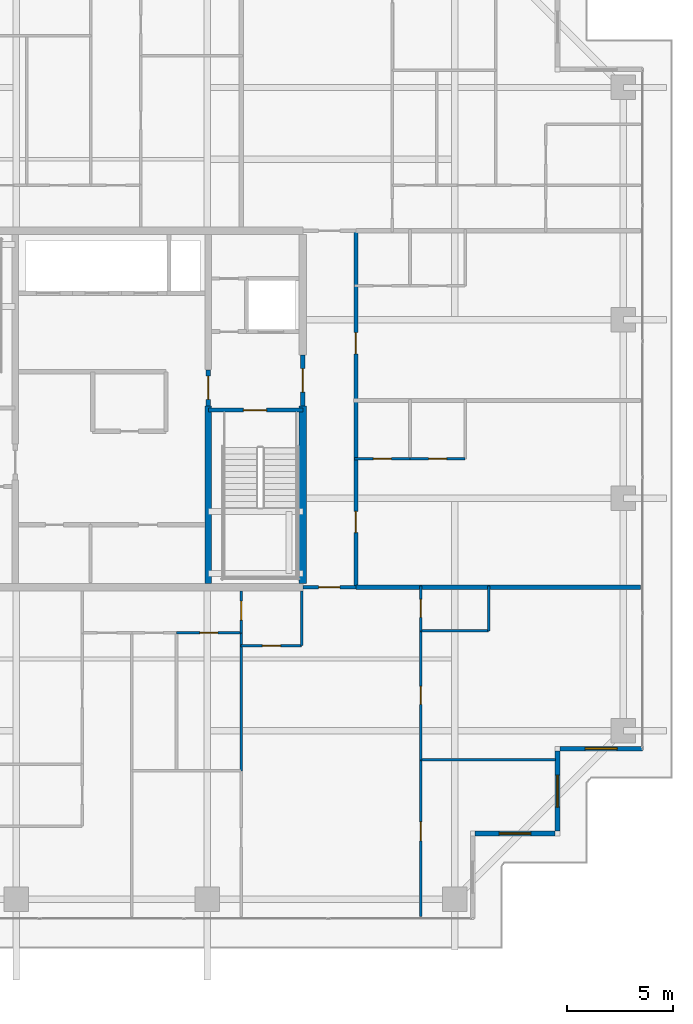
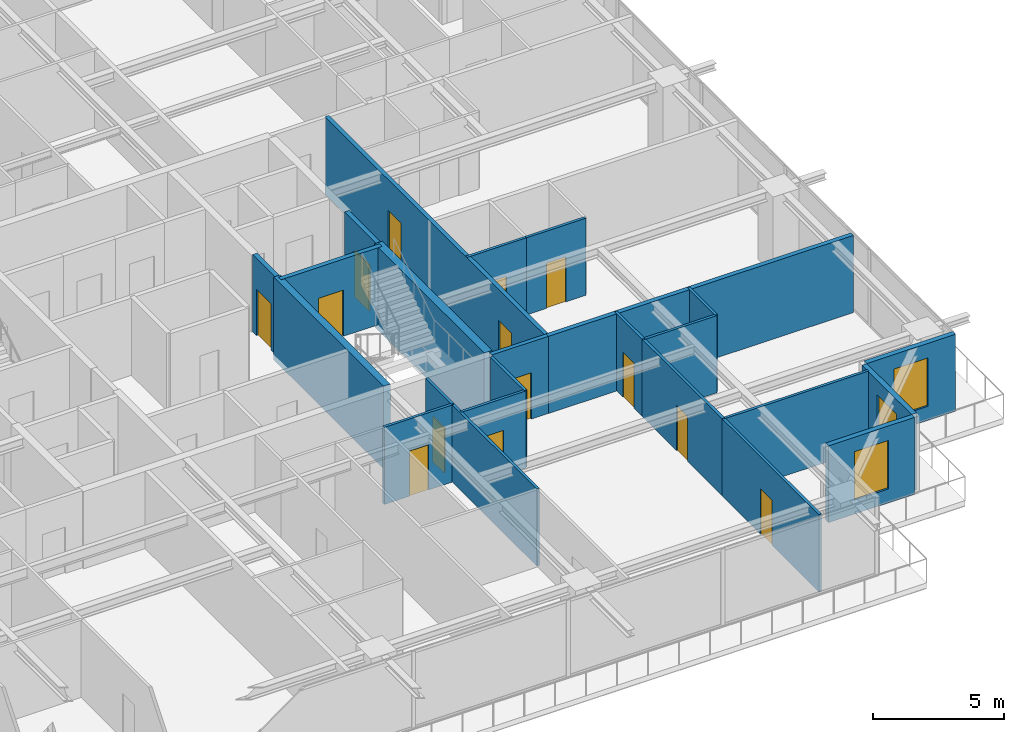
# One storey, part 29 of 39: 24 walls, 14 doors, 3 windows, 17 openings.
"""IFC4 building model written with IfcOpenShell, lengths in metres."""

from ifc_helpers import new_model, si_unit, direction, frame, frame_2d, origin, place, context, subcontext, project, spatial, rectangle, extrude, source, transform, mapped, material, layer, layer_set, type_object, element, fill, save


model = new_model("IFC4")

# Units and contexts
model_context = context("Model", 3, precision=1e-05, world=origin(), true_north=direction((0.0, 1.0)))
body_context = subcontext(model_context, "Body", "Model", "MODEL_VIEW")
ifc_project = project(units=[si_unit("LENGTHUNIT", "METRE"), si_unit("AREAUNIT", "SQUARE_METRE"), si_unit("VOLUMEUNIT", "CUBIC_METRE"), si_unit("PLANEANGLEUNIT", "RADIAN"), si_unit("MASSUNIT", "GRAM", prefix="KILO")], contexts=[model_context])

# Site, building, storey
site_placement = place(None, origin())
site = spatial("IfcSite", under=ifc_project, at=site_placement, CompositionType="ELEMENT")
building_placement = place(site_placement, origin())
building = spatial("IfcBuilding", under=site, at=building_placement, Name="Serunith Strait Residences", CompositionType="ELEMENT")
storey_placement = place(building_placement, frame((0.0, 0.0, 222.0)))
storey = spatial("IfcBuildingStorey", under=building, at=storey_placement, Name="L55", CompositionType="ELEMENT", Elevation=222.0)

# Wall, opening, window
ifc_material_1 = material(Name="Pale-Champagne Aluminium Insulated Panel", Category="aluminium")
ifc_layer_1 = layer(ifc_material_1, 0.219970703125, Name="Pale-Champagne Aluminium Insulated Panel")
ifc_layer_set_1 = layer_set([ifc_layer_1], Name="Pale-Champagne Aluminium Insulated Panel")
wall_type_1 = type_object("IfcWallType", Name="EW-ALUM-220", PredefinedType="ELEMENTEDWALL", material=ifc_layer_set_1)
wall_1_placement = place(storey_placement, frame((49.510009765625, 5.199951171875, 0.0), z_axis=(0.0, 0.0, 1.0), x_axis=(1.0, 0.0, 0.0)))
wall_1 = element("IfcWall", 1, at=wall_1_placement, inside=storey, type_object=wall_type_1, Name="L55 Girih Serrated Corner Wall 03", PredefinedType="ELEMENTEDWALL", context=body_context, shape_type="SweptSolid", body=[
    extrude(rectangle(XDim=3.780029296875, YDim=0.219970703125, at=frame_2d((1.89013671875, 0.0))), origin(), (0.0, 0.0, 1.0), 3.574951171875),
])
opening_1_placement = place(wall_1_placement, frame((1.139892578125, 0.0, 0.64990234375)))
opening_1 = element("IfcOpeningElement", 2, at=opening_1_placement, cuts=wall_1, Name="Opening W-05", PredefinedType="OPENING", context=body_context, shape_type="SweptSolid", body=[
    extrude(rectangle(XDim=1.5, YDim=2.25, at=frame_2d((0.75, 1.125))), frame((0.0, 0.1201171875, 0.0), z_axis=(0.0, -1.0, 0.0), x_axis=(1.0, 0.0, 0.0)), (0.0, 0.0, 1.0), 0.239990234375),
])
ifc_material_2 = material(Name="Ceramic-Fritted Operable Aluminium Window Glass", Category="aluminium")
window_type = type_object("IfcWindowType", Name="WIN-C5", PartitioningType="DOUBLE_PANEL_VERTICAL", PredefinedType="WINDOW", material=ifc_material_2)
shared_shape_1 = source(origin(), body_context, "Body", "SweptSolid", [
    extrude(rectangle(XDim=1.5, YDim=2.25, at=frame_2d((0.75, 1.125))), frame((0.0, 0.030029296875, 0.0), z_axis=(0.0, -1.0, 0.0), x_axis=(1.0, 0.0, 0.0)), (0.0, 0.0, 1.0), 0.06005859375),
])
window_1_placement = place(opening_1_placement, origin())
window_1 = element("IfcWindow", 3, at=window_1_placement, inside=storey, type_object=window_type, Name="L55 Corner Operable Fritted Window 03", OverallHeight=2.25, OverallWidth=1.5, PartitioningType="SINGLE_PANEL", PredefinedType="WINDOW", context=body_context, shape_type="MappedRepresentation", body=[
    mapped(shared_shape_1, transform((0.0, 0.0, 0.0), scale=1.0)),
])
fill(opening_1, window_1)

wall_2_placement = place(storey_placement, frame((53.39990234375, 5.31005859375, 0.0), z_axis=(0.0, 0.0, 1.0), x_axis=(0.0, 1.0, 0.0)))
wall_2 = element("IfcWall", 4, at=wall_2_placement, inside=storey, type_object=wall_type_1, Name="L55 Girih Serrated Corner Wall 04", PredefinedType="ELEMENTEDWALL", context=body_context, shape_type="SweptSolid", body=[
    extrude(rectangle(XDim=3.780029296875, YDim=0.219970703125, at=frame_2d((1.89013671875, 0.0))), origin(), (0.0, 0.0, 1.0), 3.574951171875),
])
opening_2_placement = place(wall_2_placement, frame((1.139892578125, 0.0, 0.64990234375)))
opening_2 = element("IfcOpeningElement", 5, at=opening_2_placement, cuts=wall_2, Name="Opening W-05", PredefinedType="OPENING", context=body_context, shape_type="SweptSolid", body=[
    extrude(rectangle(XDim=1.5, YDim=2.25, at=frame_2d((0.75, 1.125))), frame((0.0, 0.1201171875, 0.0), z_axis=(0.0, -1.0, 0.0), x_axis=(1.0, 0.0, 0.0)), (0.0, 0.0, 1.0), 0.239990234375),
])
window_2_placement = place(opening_2_placement, origin())
window_2 = element("IfcWindow", 6, at=window_2_placement, inside=storey, type_object=window_type, Name="L55 Corner Operable Fritted Window 04", OverallHeight=2.25, OverallWidth=1.5, PartitioningType="SINGLE_PANEL", PredefinedType="WINDOW", context=body_context, shape_type="MappedRepresentation", body=[
    mapped(shared_shape_1, transform((0.0, 0.0, 0.0), scale=1.0)),
])
fill(opening_2, window_2)

wall_3_placement = place(storey_placement, frame((53.510009765625, 9.199951171875, 0.0), z_axis=(0.0, 0.0, 1.0), x_axis=(1.0, 0.0, 0.0)))
wall_3 = element("IfcWall", 7, at=wall_3_placement, inside=storey, type_object=wall_type_1, Name="L55 Girih Serrated Corner Wall 05", PredefinedType="ELEMENTEDWALL", context=body_context, shape_type="SweptSolid", body=[
    extrude(rectangle(XDim=3.889892578125, YDim=0.219970703125, at=frame_2d((1.94482421875, 0.0))), origin(), (0.0, 0.0, 1.0), 3.574951171875),
])
opening_3_placement = place(wall_3_placement, frame((1.195068359375, 0.0, 0.64990234375)))
opening_3 = element("IfcOpeningElement", 8, at=opening_3_placement, cuts=wall_3, Name="Opening W-05", PredefinedType="OPENING", context=body_context, shape_type="SweptSolid", body=[
    extrude(rectangle(XDim=1.5, YDim=2.25, at=frame_2d((0.75, 1.125))), frame((0.0, 0.1201171875, 0.0), z_axis=(0.0, -1.0, 0.0), x_axis=(1.0, 0.0, 0.0)), (0.0, 0.0, 1.0), 0.239990234375),
])
window_3_placement = place(opening_3_placement, origin())
window_3 = element("IfcWindow", 9, at=window_3_placement, inside=storey, type_object=window_type, Name="L55 Corner Operable Fritted Window 05", OverallHeight=2.25, OverallWidth=1.5, PartitioningType="SINGLE_PANEL", PredefinedType="WINDOW", context=body_context, shape_type="MappedRepresentation", body=[
    mapped(shared_shape_1, transform((0.0, 0.0, 0.0), scale=1.0)),
])
fill(opening_3, window_3)

# Wall, opening, door
ifc_material_3 = material(Name="Fire-rated acoustic gypsum partition")
ifc_layer_2 = layer(ifc_material_3, 0.179931640625, Name="Fire-rated acoustic gypsum partition")
ifc_layer_set_2 = layer_set([ifc_layer_2], Name="Fire-rated acoustic gypsum partition")
wall_type_2 = type_object("IfcWallType", Name="IW-CORR-180", PredefinedType="PARTITIONING", material=ifc_layer_set_2)
wall_4_placement = place(storey_placement, frame((41.402099609375, 16.800048828125, 0.0), z_axis=(0.0, 0.0, 1.0), x_axis=(1.0, 0.0, 0.0)))
wall_4 = element("IfcWall", 10, at=wall_4_placement, inside=storey, type_object=wall_type_2, Name="L55 Partition Wall 030", PredefinedType="PARTITIONING", context=body_context, shape_type="SweptSolid", body=[
    extrude(rectangle(XDim=2.495849609375, YDim=0.179931640625, at=frame_2d((1.248046875, 0.0))), origin(), (0.0, 0.0, 1.0), 3.590087890625),
])
opening_4_placement = place(wall_4_placement, frame((0.748046875, 0.0, 0.0)))
opening_4 = element("IfcOpeningElement", 11, at=opening_4_placement, cuts=wall_4, Name="Opening D-APT1000", PredefinedType="OPENING", context=body_context, shape_type="SweptSolid", body=[
    extrude(rectangle(XDim=1.0, YDim=2.14990234375, at=frame_2d((0.5, 1.074951171875))), frame((0.0, 0.10009765625, 0.0), z_axis=(0.0, -1.0, 0.0), x_axis=(1.0, 0.0, 0.0)), (0.0, 0.0, 1.0), 0.199951171875),
])
ifc_material_4 = material(Name="Solid timber engineered fire door", Category="wood")
door_type_1 = type_object("IfcDoorType", Name="ID-APT-1000", OperationType="NOTDEFINED", PredefinedType="DOOR", material=ifc_material_4)
shared_shape_2 = source(origin(), body_context, "Body", "SweptSolid", [
    extrude(rectangle(XDim=1.0, YDim=2.14990234375, at=frame_2d((0.5, 1.074951171875))), frame((0.0, 0.02490234375, 0.0), z_axis=(0.0, -1.0, 0.0), x_axis=(1.0, 0.0, 0.0)), (0.0, 0.0, 1.0), 0.050048828125),
])
door_1_placement = place(opening_4_placement, origin())
door_1 = element("IfcDoor", 12, at=door_1_placement, inside=storey, type_object=door_type_1, Name="L55 Unit 02 Entrance Door", OperationType="SINGLE_SWING_LEFT", OverallHeight=2.14990234375, OverallWidth=1.0, PredefinedType="DOOR", context=body_context, shape_type="MappedRepresentation", body=[
    mapped(shared_shape_2, transform((0.0, 0.0, 0.0), scale=1.0)),
])
fill(opening_4, door_1)

# Wall, openings, doors
wall_5_placement = place(storey_placement, frame((43.89990234375, 16.800048828125, 0.0), z_axis=(0.0, 0.0, 1.0), x_axis=(0.0, 1.0, 0.0)))
wall_5 = element("IfcWall", 13, at=wall_5_placement, inside=storey, type_object=wall_type_2, Name="L55 Partition Wall 032", PredefinedType="PARTITIONING", context=body_context, shape_type="SweptSolid", body=[
    extrude(rectangle(XDim=16.800048828125, YDim=0.179931640625, at=frame_2d((8.39990234375, 0.0))), origin(), (0.0, 0.0, 1.0), 3.590087890625),
])
opening_5_placement = place(wall_5_placement, frame((2.574951171875, 0.0, 0.0)))
opening_5 = element("IfcOpeningElement", 14, at=opening_5_placement, cuts=wall_5, Name="Opening D-APT1000", PredefinedType="OPENING", context=body_context, shape_type="SweptSolid", body=[
    extrude(rectangle(XDim=1.0, YDim=2.14990234375, at=frame_2d((0.5, 1.074951171875))), frame((0.0, 0.10009765625, 0.0), z_axis=(0.0, -1.0, 0.0), x_axis=(1.0, 0.0, 0.0)), (0.0, 0.0, 1.0), 0.199951171875),
])
opening_6_placement = place(wall_5_placement, frame((10.9970703125, 0.0, 0.0)))
opening_6 = element("IfcOpeningElement", 15, at=opening_6_placement, cuts=wall_5, Name="Opening D-APT1000", PredefinedType="OPENING", context=body_context, shape_type="SweptSolid", body=[
    extrude(rectangle(XDim=1.0, YDim=2.14990234375, at=frame_2d((0.5, 1.074951171875))), frame((0.0, 0.10009765625, 0.0), z_axis=(0.0, -1.0, 0.0), x_axis=(1.0, 0.0, 0.0)), (0.0, 0.0, 1.0), 0.199951171875),
])
door_2_placement = place(opening_5_placement, origin())
door_2 = element("IfcDoor", 16, at=door_2_placement, inside=storey, type_object=door_type_1, Name="L55 Unit 07 Entrance Door", OperationType="SINGLE_SWING_LEFT", OverallHeight=2.14990234375, OverallWidth=1.0, PredefinedType="DOOR", context=body_context, shape_type="MappedRepresentation", body=[
    mapped(shared_shape_2, transform((0.0, 0.0, 0.0), scale=1.0)),
])
fill(opening_5, door_2)
door_3_placement = place(opening_6_placement, origin())
door_3 = element("IfcDoor", 17, at=door_3_placement, inside=storey, type_object=door_type_1, Name="L55 Unit 08 Entrance Door", OperationType="SINGLE_SWING_RIGHT", OverallHeight=2.14990234375, OverallWidth=1.0, PredefinedType="DOOR", context=body_context, shape_type="MappedRepresentation", body=[
    mapped(shared_shape_2, transform((0.0, 0.0, 0.0), scale=1.0)),
])
fill(opening_6, door_3)

# Wall, opening, door
ifc_material_5 = material(Name="Lightweight steel-stud gypsum partition", Category="steel")
ifc_layer_3 = layer(ifc_material_5, 0.1201171875, Name="Lightweight steel-stud gypsum partition")
ifc_layer_set_3 = layer_set([ifc_layer_3], Name="Lightweight steel-stud gypsum partition")
wall_type_3 = type_object("IfcWallType", Name="IW-PART-120", PredefinedType="PARTITIONING", material=ifc_layer_set_3)
wall_6_placement = place(storey_placement, frame((38.5, 14.050048828125, 0.0), z_axis=(0.0, 0.0, 1.0), x_axis=(1.0, 0.0, 0.0)))
wall_6 = element("IfcWall", 18, at=wall_6_placement, inside=storey, type_object=wall_type_3, Name="L55 Partition Wall 046", PredefinedType="PARTITIONING", context=body_context, shape_type="SweptSolid", body=[
    extrude(rectangle(XDim=2.85009765625, YDim=0.1201171875, at=frame_2d((1.425048828125, 0.0))), origin(), (0.0, 0.0, 1.0), 3.590087890625),
])
opening_7_placement = place(wall_6_placement, frame((1.0, 0.0, 0.0)))
opening_7 = element("IfcOpeningElement", 19, at=opening_7_placement, cuts=wall_6, Name="Opening D-RM850", PredefinedType="OPENING", context=body_context, shape_type="SweptSolid", body=[
    extrude(rectangle(XDim=0.85009765625, YDim=2.10009765625, at=frame_2d((0.425048828125, 1.050048828125))), frame((0.0, 0.070068359375, 0.0), z_axis=(0.0, -1.0, 0.0), x_axis=(1.0, 0.0, 0.0)), (0.0, 0.0, 1.0), 0.14013671875),
])
ifc_material_6 = material(Name="Engineered timber flush study and kitchen door", Category="wood")
door_type_2 = type_object("IfcDoorType", Name="ID-ROOM-850", OperationType="NOTDEFINED", PredefinedType="DOOR", material=ifc_material_6)
shared_shape_3 = source(origin(), body_context, "Body", "SweptSolid", [
    extrude(rectangle(XDim=0.85009765625, YDim=2.10009765625, at=frame_2d((0.425048828125, 1.050048828125))), frame((0.0, 0.02490234375, 0.0), z_axis=(0.0, -1.0, 0.0), x_axis=(1.0, 0.0, 0.0)), (0.0, 0.0, 1.0), 0.050048828125),
])
door_4_placement = place(opening_7_placement, origin())
door_4 = element("IfcDoor", 20, at=door_4_placement, inside=storey, type_object=door_type_2, Name="L55 Kitchen 5502 Door", OperationType="SINGLE_SWING_RIGHT", OverallHeight=2.10009765625, OverallWidth=0.85009765625, PredefinedType="DOOR", context=body_context, shape_type="MappedRepresentation", body=[
    mapped(shared_shape_3, transform((0.0, 0.0, 0.0), scale=1.0)),
])
fill(opening_7, door_4)

# Wall
wall_7_placement = place(storey_placement, frame((41.35009765625, 14.050048828125, 0.0), z_axis=(0.0, 0.0, 1.0), x_axis=(0.0, 1.0, 0.0)))
element("IfcWall", 21, at=wall_7_placement, inside=storey, type_object=wall_type_3, Name="L55 Partition Wall 047", PredefinedType="PARTITIONING", context=body_context, shape_type="SweptSolid", body=[
    extrude(rectangle(XDim=2.574951171875, YDim=0.1201171875, at=frame_2d((1.28759765625, 0.0))), origin(), (0.0, 0.0, 1.0), 3.590087890625),
])

# Wall, opening, door
wall_8_placement = place(storey_placement, frame((38.5, 14.64990234375, 0.0), z_axis=(0.0, 0.0, 1.0), x_axis=(0.0, 1.0, 0.0)))
wall_8 = element("IfcWall", 22, at=wall_8_placement, inside=storey, type_object=wall_type_3, Name="L55 Partition Wall 048", PredefinedType="PARTITIONING", context=body_context, shape_type="SweptSolid", body=[
    extrude(rectangle(XDim=1.97509765625, YDim=0.1201171875, at=frame_2d((0.987548828125, 0.0))), origin(), (0.0, 0.0, 1.0), 3.590087890625),
])
opening_8_placement = place(wall_8_placement, frame((0.60107421875, 0.0, 0.0)))
opening_8 = element("IfcOpeningElement", 23, at=opening_8_placement, cuts=wall_8, Name="Opening D-RM900", PredefinedType="OPENING", context=body_context, shape_type="SweptSolid", body=[
    extrude(rectangle(XDim=0.89990234375, YDim=2.10009765625, at=frame_2d((0.449951171875, 1.050048828125))), frame((0.0, 0.070068359375, 0.0), z_axis=(0.0, -1.0, 0.0), x_axis=(1.0, 0.0, 0.0)), (0.0, 0.0, 1.0), 0.14013671875),
])
ifc_material_7 = material(Name="Engineered timber flush bedroom door", Category="wood")
door_type_3 = type_object("IfcDoorType", Name="ID-ROOM-900", OperationType="NOTDEFINED", PredefinedType="DOOR", material=ifc_material_7)
shared_shape_4 = source(origin(), body_context, "Body", "SweptSolid", [
    extrude(rectangle(XDim=0.89990234375, YDim=2.10009765625, at=frame_2d((0.449951171875, 1.050048828125))), frame((0.0, 0.02490234375, 0.0), z_axis=(0.0, -1.0, 0.0), x_axis=(1.0, 0.0, 0.0)), (0.0, 0.0, 1.0), 0.050048828125),
])
door_5_placement = place(opening_8_placement, origin())
door_5 = element("IfcDoor", 24, at=door_5_placement, inside=storey, type_object=door_type_3, Name="L55 Hall W 5502 Door", OperationType="SINGLE_SWING_LEFT", OverallHeight=2.10009765625, OverallWidth=0.89990234375, PredefinedType="DOOR", context=body_context, shape_type="MappedRepresentation", body=[
    mapped(shared_shape_4, transform((0.0, 0.0, 0.0), scale=1.0)),
])
fill(opening_8, door_5)

# Wall
wall_9_placement = place(storey_placement, frame((38.5, 8.152099609375, 0.0), z_axis=(0.0, 0.0, 1.0), x_axis=(0.0, 1.0, 0.0)))
element("IfcWall", 25, at=wall_9_placement, inside=storey, type_object=wall_type_3, Name="L55 Partition Wall 050", PredefinedType="PARTITIONING", context=body_context, shape_type="SweptSolid", body=[
    extrude(rectangle(XDim=6.495849609375, YDim=0.1201171875, at=frame_2d((3.248046875, 0.0))), origin(), (0.0, 0.0, 1.0), 3.590087890625),
])

# Wall, opening, door
wall_10_placement = place(storey_placement, frame((35.451904296875, 14.64990234375, 0.0), z_axis=(0.0, 0.0, 1.0), x_axis=(1.0, 0.0, 0.0)))
wall_10 = element("IfcWall", 26, at=wall_10_placement, inside=storey, type_object=wall_type_3, Name="L55 Partition Wall 055", PredefinedType="PARTITIONING", context=body_context, shape_type="SweptSolid", body=[
    extrude(rectangle(XDim=3.048095703125, YDim=0.1201171875, at=frame_2d((1.52392578125, 0.0))), origin(), (0.0, 0.0, 1.0), 3.590087890625),
])
opening_9_placement = place(wall_10_placement, frame((1.09912109375, 0.0, 0.0)))
opening_9 = element("IfcOpeningElement", 27, at=opening_9_placement, cuts=wall_10, Name="Opening D-RM850", PredefinedType="OPENING", context=body_context, shape_type="SweptSolid", body=[
    extrude(rectangle(XDim=0.85009765625, YDim=2.10009765625, at=frame_2d((0.425048828125, 1.050048828125))), frame((0.0, 0.070068359375, 0.0), z_axis=(0.0, -1.0, 0.0), x_axis=(1.0, 0.0, 0.0)), (0.0, 0.0, 1.0), 0.14013671875),
])
door_6_placement = place(opening_9_placement, origin())
door_6 = element("IfcDoor", 28, at=door_6_placement, inside=storey, type_object=door_type_2, Name="L55 Formal Dining Room 5502 Door", OperationType="SINGLE_SWING_RIGHT", OverallHeight=2.10009765625, OverallWidth=0.85009765625, PredefinedType="DOOR", context=body_context, shape_type="MappedRepresentation", body=[
    mapped(shared_shape_3, transform((0.0, 0.0, 0.0), scale=1.0)),
])
fill(opening_9, door_6)

wall_11_placement = place(storey_placement, frame((46.949951171875, 1.294921875, 0.0), z_axis=(0.0, 0.0, 1.0), x_axis=(0.0, 1.0, 0.0)))
wall_11 = element("IfcWall", 29, at=wall_11_placement, inside=storey, type_object=wall_type_3, Name="L55 Partition Wall 062", PredefinedType="PARTITIONING", context=body_context, shape_type="SweptSolid", body=[
    extrude(rectangle(XDim=7.373046875, YDim=0.1201171875, at=frame_2d((3.6865234375, 0.0))), origin(), (0.0, 0.0, 1.0), 3.590087890625),
])
opening_10_placement = place(wall_11_placement, frame((3.56005859375, 0.0, 0.0)))
opening_10 = element("IfcOpeningElement", 30, at=opening_10_placement, cuts=wall_11, Name="Opening D-RM900", PredefinedType="OPENING", context=body_context, shape_type="SweptSolid", body=[
    extrude(rectangle(XDim=0.89990234375, YDim=2.10009765625, at=frame_2d((0.449951171875, 1.050048828125))), frame((0.0, 0.070068359375, 0.0), z_axis=(0.0, -1.0, 0.0), x_axis=(1.0, 0.0, 0.0)), (0.0, 0.0, 1.0), 0.14013671875),
])
door_7_placement = place(opening_10_placement, origin())
door_7 = element("IfcDoor", 31, at=door_7_placement, inside=storey, type_object=door_type_3, Name="L55 Bedroom 3 5502 Door", OperationType="SINGLE_SWING_RIGHT", OverallHeight=2.10009765625, OverallWidth=0.89990234375, PredefinedType="DOOR", context=body_context, shape_type="MappedRepresentation", body=[
    mapped(shared_shape_4, transform((0.0, 0.0, 0.0), scale=1.0)),
])
fill(opening_10, door_7)

# Walls
wall_12_placement = place(storey_placement, frame((46.949951171875, 8.66796875, 0.0), z_axis=(0.0, 0.0, 1.0), x_axis=(1.0, 0.0, 0.0)))
element("IfcWall", 32, at=wall_12_placement, inside=storey, type_object=wall_type_3, Name="L55 Partition Wall 063", PredefinedType="PARTITIONING", context=body_context, shape_type="SweptSolid", body=[
    extrude(rectangle(XDim=6.35498046875, YDim=0.1201171875, at=frame_2d((3.177490234375, 0.0))), origin(), (0.0, 0.0, 1.0), 3.590087890625),
])
wall_13_placement = place(storey_placement, frame((46.949951171875, 14.75, 0.0), z_axis=(0.0, 0.0, 1.0), x_axis=(1.0, 0.0, 0.0)))
element("IfcWall", 33, at=wall_13_placement, inside=storey, type_object=wall_type_3, Name="L55 Partition Wall 064", PredefinedType="PARTITIONING", context=body_context, shape_type="SweptSolid", body=[
    extrude(rectangle(XDim=3.199951171875, YDim=0.1201171875, at=frame_2d((1.60009765625, 0.0))), origin(), (0.0, 0.0, 1.0), 3.590087890625),
])
wall_14_placement = place(storey_placement, frame((50.14990234375, 14.75, 0.0), z_axis=(0.0, 0.0, 1.0), x_axis=(0.0, 1.0, 0.0)))
element("IfcWall", 34, at=wall_14_placement, inside=storey, type_object=wall_type_3, Name="L55 Partition Wall 065", PredefinedType="PARTITIONING", context=body_context, shape_type="SweptSolid", body=[
    extrude(rectangle(XDim=2.110107421875, YDim=0.1201171875, at=frame_2d((1.05517578125, 0.0))), origin(), (0.0, 0.0, 1.0), 3.590087890625),
])

# Wall, opening, door
wall_15_placement = place(storey_placement, frame((46.949951171875, 8.669921875, 0.0), z_axis=(0.0, 0.0, 1.0), x_axis=(0.0, 1.0, 0.0)))
wall_15 = element("IfcWall", 35, at=wall_15_placement, inside=storey, type_object=wall_type_3, Name="L55 Partition Wall 066", PredefinedType="PARTITIONING", context=body_context, shape_type="SweptSolid", body=[
    extrude(rectangle(XDim=6.080078125, YDim=0.1201171875, at=frame_2d((3.0400390625, 0.0))), origin(), (0.0, 0.0, 1.0), 3.590087890625),
])
opening_11_placement = place(wall_15_placement, frame((2.614990234375, 0.0, 0.0)))
opening_11 = element("IfcOpeningElement", 36, at=opening_11_placement, cuts=wall_15, Name="Opening D-RM850", PredefinedType="OPENING", context=body_context, shape_type="SweptSolid", body=[
    extrude(rectangle(XDim=0.85009765625, YDim=2.10009765625, at=frame_2d((0.425048828125, 1.050048828125))), frame((0.0, 0.070068359375, 0.0), z_axis=(0.0, -1.0, 0.0), x_axis=(1.0, 0.0, 0.0)), (0.0, 0.0, 1.0), 0.14013671875),
])
door_8_placement = place(opening_11_placement, origin())
door_8 = element("IfcDoor", 37, at=door_8_placement, inside=storey, type_object=door_type_2, Name="L55 Walk-in Wardrobe 5502 Door", OperationType="SINGLE_SWING_LEFT", OverallHeight=2.10009765625, OverallWidth=0.85009765625, PredefinedType="DOOR", context=body_context, shape_type="MappedRepresentation", body=[
    mapped(shared_shape_3, transform((0.0, 0.0, 0.0), scale=1.0)),
])
fill(opening_11, door_8)

wall_16_placement = place(storey_placement, frame((46.949951171875, 14.751953125, 0.0), z_axis=(0.0, 0.0, 1.0), x_axis=(0.0, 1.0, 0.0)))
wall_16 = element("IfcWall", 38, at=wall_16_placement, inside=storey, type_object=wall_type_3, Name="L55 Partition Wall 067", PredefinedType="PARTITIONING", context=body_context, shape_type="SweptSolid", body=[
    extrude(rectangle(XDim=2.108154296875, YDim=0.1201171875, at=frame_2d((1.05419921875, 0.0))), origin(), (0.0, 0.0, 1.0), 3.590087890625),
])
opening_12_placement = place(wall_16_placement, frame((0.62890625, 0.0, 0.0)))
opening_12 = element("IfcOpeningElement", 39, at=opening_12_placement, cuts=wall_16, Name="Opening D-BTH850", PredefinedType="OPENING", context=body_context, shape_type="SweptSolid", body=[
    extrude(rectangle(XDim=0.85009765625, YDim=2.10009765625, at=frame_2d((0.425048828125, 1.050048828125))), frame((0.0, 0.070068359375, 0.0), z_axis=(0.0, -1.0, 0.0), x_axis=(1.0, 0.0, 0.0)), (0.0, 0.0, 1.0), 0.14013671875),
])
ifc_material_8 = material(Name="Moisture-resistant timber bathroom door", Category="wood")
door_type_4 = type_object("IfcDoorType", Name="ID-BATH-850", OperationType="NOTDEFINED", PredefinedType="DOOR", material=ifc_material_8)
door_9_placement = place(opening_12_placement, origin())
door_9 = element("IfcDoor", 40, at=door_9_placement, inside=storey, type_object=door_type_4, Name="L55 Bathroom 5502 Door", OperationType="SINGLE_SWING_RIGHT", OverallHeight=2.10009765625, OverallWidth=0.85009765625, PredefinedType="DOOR", context=body_context, shape_type="MappedRepresentation", body=[
    mapped(shared_shape_3, transform((0.0, 0.0, 0.0), scale=1.0)),
])
fill(opening_12, door_9)

wall_17_placement = place(storey_placement, frame((49.050048828125, 22.85009765625, 0.0), z_axis=(0.0, 0.0, 1.0), x_axis=(-1.0, 0.0, 0.0)))
wall_17 = element("IfcWall", 41, at=wall_17_placement, inside=storey, type_object=wall_type_3, Name="L55 Partition Wall 111", PredefinedType="PARTITIONING", context=body_context, shape_type="SweptSolid", body=[
    extrude(rectangle(XDim=2.60009765625, YDim=0.1201171875, at=frame_2d((1.300048828125, 0.0))), origin(), (0.0, 0.0, 1.0), 3.590087890625),
])
opening_13_placement = place(wall_17_placement, frame((0.875, 0.0, 0.0)))
opening_13 = element("IfcOpeningElement", 42, at=opening_13_placement, cuts=wall_17, Name="Opening D-RM850", PredefinedType="OPENING", context=body_context, shape_type="SweptSolid", body=[
    extrude(rectangle(XDim=0.85009765625, YDim=2.10009765625, at=frame_2d((0.425048828125, 1.050048828125))), frame((0.0, 0.070068359375, 0.0), z_axis=(0.0, -1.0, 0.0), x_axis=(1.0, 0.0, 0.0)), (0.0, 0.0, 1.0), 0.14013671875),
])
door_10_placement = place(opening_13_placement, origin())
door_10 = element("IfcDoor", 43, at=door_10_placement, inside=storey, type_object=door_type_2, Name="L55 Kitchen 5507 Door", OperationType="SINGLE_SWING_LEFT", OverallHeight=2.10009765625, OverallWidth=0.85009765625, PredefinedType="DOOR", context=body_context, shape_type="MappedRepresentation", body=[
    mapped(shared_shape_3, transform((0.0, 0.0, 0.0), scale=1.0)),
])
fill(opening_13, door_10)

wall_18_placement = place(storey_placement, frame((46.447998046875, 22.85009765625, 0.0), z_axis=(0.0, 0.0, 1.0), x_axis=(-1.0, 0.0, 0.0)))
wall_18 = element("IfcWall", 44, at=wall_18_placement, inside=storey, type_object=wall_type_3, Name="L55 Partition Wall 112", PredefinedType="PARTITIONING", context=body_context, shape_type="SweptSolid", body=[
    extrude(rectangle(XDim=2.60791015625, YDim=0.1201171875, at=frame_2d((1.303955078125, 0.0))), origin(), (0.0, 0.0, 1.0), 3.590087890625),
])
opening_14_placement = place(wall_18_placement, frame((0.87890625, 0.0, 0.0)))
opening_14 = element("IfcOpeningElement", 45, at=opening_14_placement, cuts=wall_18, Name="Opening D-BTH850", PredefinedType="OPENING", context=body_context, shape_type="SweptSolid", body=[
    extrude(rectangle(XDim=0.85009765625, YDim=2.10009765625, at=frame_2d((0.425048828125, 1.050048828125))), frame((0.0, 0.070068359375, 0.0), z_axis=(0.0, -1.0, 0.0), x_axis=(1.0, 0.0, 0.0)), (0.0, 0.0, 1.0), 0.14013671875),
])
door_11_placement = place(opening_14_placement, origin())
door_11 = element("IfcDoor", 46, at=door_11_placement, inside=storey, type_object=door_type_4, Name="L55 Bathroom 5507 Door", OperationType="SINGLE_SWING_RIGHT", OverallHeight=2.10009765625, OverallWidth=0.85009765625, PredefinedType="DOOR", context=body_context, shape_type="MappedRepresentation", body=[
    mapped(shared_shape_3, transform((0.0, 0.0, 0.0), scale=1.0)),
])
fill(opening_14, door_11)

# Wall
ifc_material_9 = material(Name="Twin-stud acoustic gypsum board partition")
ifc_layer_4 = layer(ifc_material_9, 0.199951171875, Name="Twin-stud acoustic gypsum board partition")
ifc_layer_set_4 = layer_set([ifc_layer_4], Name="Twin-stud acoustic gypsum board partition")
wall_type_4 = type_object("IfcWallType", Name="IW-PARTY-200", PredefinedType="PARTITIONING", material=ifc_layer_set_4)
wall_19_placement = place(storey_placement, frame((43.89990234375, 16.800048828125, 0.0), z_axis=(0.0, 0.0, 1.0), x_axis=(1.0, 0.0, 0.0)))
element("IfcWall", 47, at=wall_19_placement, inside=storey, type_object=wall_type_4, Name="L55 Partition Wall 024", PredefinedType="PARTITIONING", context=body_context, shape_type="SweptSolid", body=[
    extrude(rectangle(XDim=13.418212890625, YDim=0.199951171875, at=frame_2d((6.708984375, 0.0))), origin(), (0.0, 0.0, 1.0), 3.590087890625),
])

# Wall, opening, door
ifc_material_10 = material(Name="Autoclaved aerated concrete blockwork", Category="masonry")
ifc_layer_5 = layer(ifc_material_10, 0.199951171875, Name="Autoclaved aerated concrete blockwork")
ifc_layer_set_5 = layer_set([ifc_layer_5], Name="Autoclaved aerated concrete blockwork")
wall_type_5 = type_object("IfcWallType", Name="IW-SHAFT-200", PredefinedType="STANDARD", material=ifc_layer_set_5)
wall_20_placement = place(storey_placement, frame((36.949951171875, 25.14990234375, 0.0), z_axis=(0.0, 0.0, 1.0), x_axis=(1.0, 0.0, 0.0)))
wall_20 = element("IfcWall", 48, at=wall_20_placement, inside=storey, type_object=wall_type_5, Name="L55 ST-2 North Shaft Wall", PredefinedType="STANDARD", context=body_context, shape_type="SweptSolid", body=[
    extrude(rectangle(XDim=4.449951171875, YDim=0.199951171875, at=frame_2d((2.22509765625, 0.0))), origin(), (0.0, 0.0, 1.0), 3.590087890625),
])
opening_15_placement = place(wall_20_placement, frame((1.64990234375, 0.0, 0.0)))
opening_15 = element("IfcOpeningElement", 49, at=opening_15_placement, cuts=wall_20, Name="Opening FD-1100", PredefinedType="OPENING", context=body_context, shape_type="SweptSolid", body=[
    extrude(rectangle(XDim=1.10009765625, YDim=2.14990234375, at=frame_2d((0.550048828125, 1.074951171875))), frame((0.0, 0.10986328125, 0.0), z_axis=(0.0, -1.0, 0.0), x_axis=(1.0, 0.0, 0.0)), (0.0, 0.0, 1.0), 0.219970703125),
])
ifc_material_11 = material(Name="Galvanised steel fire door leaf", Category="steel")
door_type_5 = type_object("IfcDoorType", Name="FD-STAIR-1100", OperationType="NOTDEFINED", PredefinedType="DOOR", material=ifc_material_11)
shared_shape_5 = source(origin(), body_context, "Body", "SweptSolid", [
    extrude(rectangle(XDim=1.10009765625, YDim=2.14990234375, at=frame_2d((0.550048828125, 1.074951171875))), frame((0.0, 0.02490234375, 0.0), z_axis=(0.0, -1.0, 0.0), x_axis=(1.0, 0.0, 0.0)), (0.0, 0.0, 1.0), 0.050048828125),
])
door_12_placement = place(opening_15_placement, origin())
door_12 = element("IfcDoor", 50, at=door_12_placement, inside=storey, type_object=door_type_5, Name="L55 ST-2 Escape Stair Door", OperationType="SINGLE_SWING_RIGHT", OverallHeight=2.14990234375, OverallWidth=1.10009765625, PredefinedType="DOOR", context=body_context, shape_type="MappedRepresentation", body=[
    mapped(shared_shape_5, transform((0.0, 0.0, 0.0), scale=1.0)),
])
fill(opening_15, door_12)

wall_21_placement = place(storey_placement, frame((41.39990234375, 25.35205078125, 0.0), z_axis=(0.0, 0.0, 1.0), x_axis=(0.0, 1.0, 0.0)))
wall_21 = element("IfcWall", 51, at=wall_21_placement, inside=storey, type_object=wall_type_5, Name="L55 Partition Wall 008", PredefinedType="STANDARD", context=body_context, shape_type="SweptSolid", body=[
    extrude(rectangle(XDim=2.39599609375, YDim=0.199951171875, at=frame_2d((1.197998046875, 0.0))), origin(), (0.0, 0.0, 1.0), 3.590087890625),
])
opening_16_placement = place(wall_21_placement, frame((0.64794921875, 0.0, 0.0)))
opening_16 = element("IfcOpeningElement", 52, at=opening_16_placement, cuts=wall_21, Name="Opening FD-FFL", PredefinedType="OPENING", context=body_context, shape_type="SweptSolid", body=[
    extrude(rectangle(XDim=1.10009765625, YDim=2.14990234375, at=frame_2d((0.550048828125, 1.074951171875))), frame((0.0, 0.10986328125, 0.0), z_axis=(0.0, -1.0, 0.0), x_axis=(1.0, 0.0, 0.0)), (0.0, 0.0, 1.0), 0.219970703125),
])
ifc_material_12 = material(Name="Glazed steel smoke-lobby fire door", Category="steel")
door_type_6 = type_object("IfcDoorType", Name="FD-FFL-1100", OperationType="NOTDEFINED", PredefinedType="DOOR", material=ifc_material_12)
door_13_placement = place(opening_16_placement, origin())
door_13 = element("IfcDoor", 53, at=door_13_placement, inside=storey, type_object=door_type_6, Name="L55 FFL-2 Corridor Fire Door", OperationType="SINGLE_SWING_RIGHT", OverallHeight=2.14990234375, OverallWidth=1.10009765625, PredefinedType="DOOR", context=body_context, shape_type="MappedRepresentation", body=[
    mapped(shared_shape_5, transform((0.0, 0.0, 0.0), scale=1.0)),
])
fill(opening_16, door_13)

wall_22_placement = place(storey_placement, frame((36.949951171875, 25.35205078125, 0.0), z_axis=(0.0, 0.0, 1.0), x_axis=(0.0, 1.0, 0.0)))
wall_22 = element("IfcWall", 54, at=wall_22_placement, inside=storey, type_object=wall_type_5, Name="L55 Partition Wall 010", PredefinedType="STANDARD", context=body_context, shape_type="SweptSolid", body=[
    extrude(rectangle(XDim=1.696044921875, YDim=0.199951171875, at=frame_2d((0.84814453125, 0.0))), origin(), (0.0, 0.0, 1.0), 3.590087890625),
])
opening_17_placement = place(wall_22_placement, frame((0.298095703125, 0.0, 0.0)))
opening_17 = element("IfcOpeningElement", 55, at=opening_17_placement, cuts=wall_22, Name="Opening FD-FFL", PredefinedType="OPENING", context=body_context, shape_type="SweptSolid", body=[
    extrude(rectangle(XDim=1.10009765625, YDim=2.14990234375, at=frame_2d((0.550048828125, 1.074951171875))), frame((0.0, 0.10986328125, 0.0), z_axis=(0.0, -1.0, 0.0), x_axis=(1.0, 0.0, 0.0)), (0.0, 0.0, 1.0), 0.219970703125),
])
door_14_placement = place(opening_17_placement, origin())
door_14 = element("IfcDoor", 56, at=door_14_placement, inside=storey, type_object=door_type_6, Name="L55 FFL-2 Lift Lobby Door", OperationType="SINGLE_SWING_RIGHT", OverallHeight=2.14990234375, OverallWidth=1.10009765625, PredefinedType="DOOR", context=body_context, shape_type="MappedRepresentation", body=[
    mapped(shared_shape_5, transform((0.0, 0.0, 0.0), scale=1.0)),
])
fill(opening_17, door_14)

# Walls
ifc_material_13 = material(Name="Concrete C60/75", Category="concrete")
ifc_layer_6 = layer(ifc_material_13, 0.300048828125, Name="Concrete C60/75")
ifc_layer_set_6 = layer_set([ifc_layer_6], Name="Concrete C60/75")
wall_type_6 = type_object("IfcWallType", Name="SW-300-C60", PredefinedType="SHEAR", material=ifc_layer_set_6)
wall_23_placement = place(storey_placement, frame((36.949951171875, 16.97509765625, -0.260009765625), z_axis=(0.0, 0.0, 1.0), x_axis=(0.0, 1.0, 0.0)))
element("IfcWall", 57, at=wall_23_placement, inside=storey, type_object=wall_type_6, Name="L55 Core Internal East Web South Pier", PredefinedType="SHEAR", context=body_context, shape_type="SweptSolid", body=[
    extrude(rectangle(XDim=8.375, YDim=0.300048828125, at=frame_2d((4.1875, 0.0))), origin(), (0.0, 0.0, 1.0), 3.847900390625),
])
ifc_layer_7 = layer(ifc_material_13, 0.35009765625, Name="Concrete C60/75")
ifc_layer_set_7 = layer_set([ifc_layer_7], Name="Concrete C60/75")
wall_type_7 = type_object("IfcWallType", Name="SW-350-C60", PredefinedType="SHEAR", material=ifc_layer_set_7)
wall_24_placement = place(storey_placement, frame((41.39990234375, 16.97509765625, -0.260009765625), z_axis=(0.0, 0.0, 1.0), x_axis=(0.0, 1.0, 0.0)))
element("IfcWall", 58, at=wall_24_placement, inside=storey, type_object=wall_type_7, Name="L55 Core East Shear Wall South Pier", PredefinedType="SHEAR", context=body_context, shape_type="SweptSolid", body=[
    extrude(rectangle(XDim=8.375, YDim=0.35009765625, at=frame_2d((4.1875, 0.0))), origin(), (0.0, 0.0, 1.0), 3.847900390625),
])

save(model, "model.ifc")
